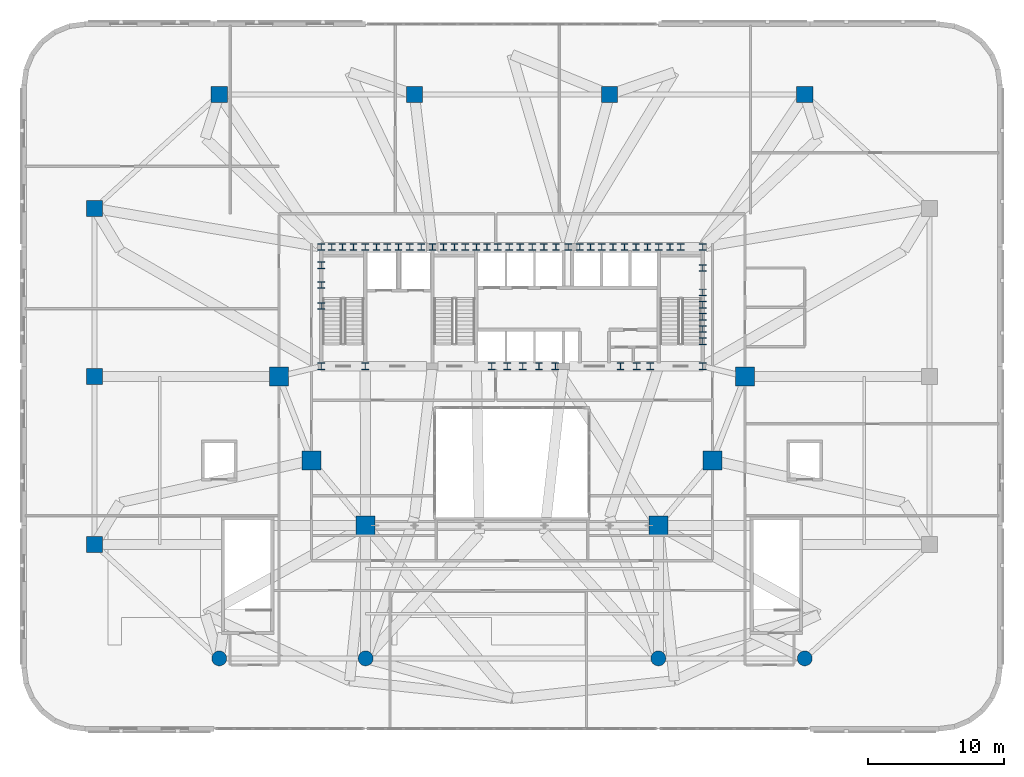
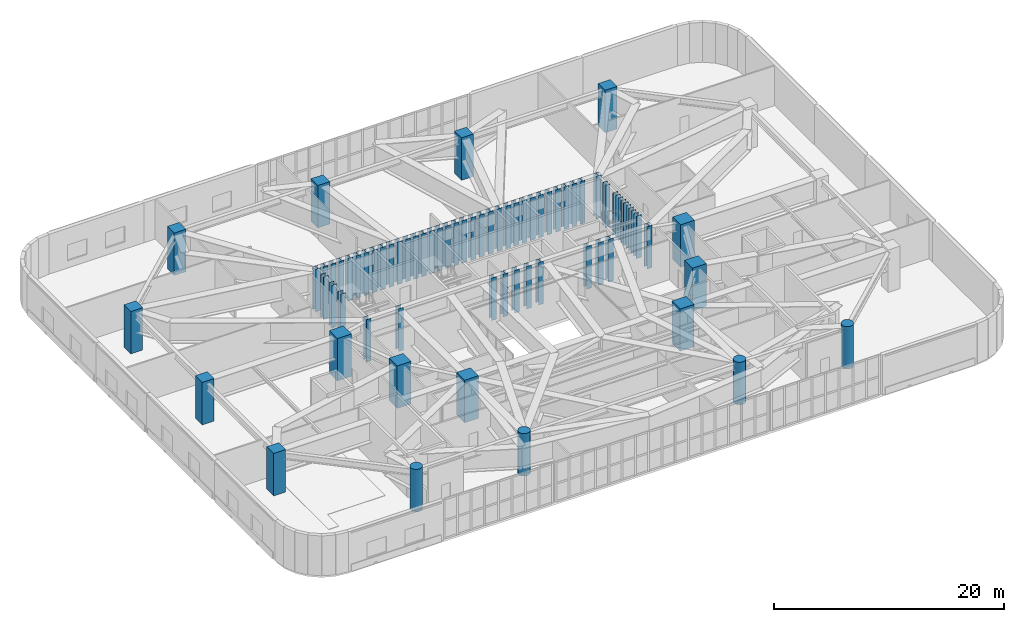
# One storey, part 1 of 26: 71 columns.
"""IFC4 building model written with IfcOpenShell, lengths in metres."""

from ifc_helpers import new_model, si_unit, direction, frame, origin, origin_2d, place, context, subcontext, project, spatial, rectangle, circle, i_section, extrude, material, material_profile, profile_set, type_object, element, save


model = new_model("IFC4")

# Units and contexts
model_context = context("Model", 3, precision=1e-05, world=origin(), true_north=direction((0.0, 1.0)))
body_context = subcontext(model_context, "Body", "Model", "MODEL_VIEW")
ifc_project = project(units=[si_unit("LENGTHUNIT", "METRE"), si_unit("AREAUNIT", "SQUARE_METRE"), si_unit("VOLUMEUNIT", "CUBIC_METRE"), si_unit("PLANEANGLEUNIT", "RADIAN"), si_unit("MASSUNIT", "GRAM", prefix="KILO")], contexts=[model_context])

# Site, building, storey
site_placement = place(None, origin())
site = spatial("IfcSite", under=ifc_project, at=site_placement, CompositionType="ELEMENT")
building_placement = place(site_placement, origin())
building = spatial("IfcBuilding", under=site, at=building_placement, Name="Haldorwick Loom Tower", CompositionType="ELEMENT")
storey_placement = place(building_placement, frame((0.0, 0.0, 19.5)))
storey = spatial("IfcBuildingStorey", under=building, at=storey_placement, Name="L04", CompositionType="ELEMENT", Elevation=19.5)

# Columns
ifc_material_1 = material(Name="Concrete C60 (60 MPa)", Category="concrete")
ifc_material_profile_1 = material_profile(ifc_material_1, rectangle(XDim=1.39990234375, YDim=1.39990234375, at=origin_2d()), Name="RC1400X1400", Category="concrete")
ifc_profile_set_1 = profile_set([ifc_material_profile_1], Name="Concrete C60 (60 MPa)")
column_type_1 = type_object("IfcColumnType", Name="STR-COL-MEGA1400", PredefinedType="COLUMN", material=ifc_profile_set_1)
for number, where, z_axis, x_axis, name in (
    (1, (53.199951171875, 26.0, 0.0), (0.0, 0.0, 1.0), (1.0, 0.0, 0.0), "L04 Inner Column IC-01"),
    (2, (50.800048828125, 19.800048828125, 0.0), (0.0, 0.0, 1.0), (1.0, 0.0, 0.0), "L04 Inner Column IC-02"),
    (3, (21.199951171875, 19.800048828125, 0.0), (0.0, 0.0, 1.0), (1.0, 0.0, 0.0), "L04 Inner Column IC-07"),
    (4, (18.800048828125, 26.0, 0.0), (0.0, 0.0, 1.0), (1.0, 0.0, 0.0), "L04 Inner Column IC-08"),
    (5, (25.199951171875, 15.0, 0.0), (0.0, 0.0, 1.0), (1.0, 0.0, 0.0), "L04 Podium Column PC-TW"),
    (6, (46.800048828125, 15.0, 0.0), (0.0, 0.0, 1.0), (1.0, 0.0, 0.0), "L04 Podium Column PC-TE"),
):
    element("IfcColumn", number, at=place(storey_placement, frame(where, z_axis=z_axis, x_axis=x_axis)), inside=storey, type_object=column_type_1, Name=name, PredefinedType="COLUMN", context=body_context, shape_type="SweptSolid", body=[
        extrude(rectangle(XDim=1.39990234375, YDim=1.39990234375, at=origin_2d()), origin(), (0.0, 0.0, 1.0), 4.5),
    ])
ifc_material_profile_2 = material_profile(ifc_material_1, rectangle(XDim=1.199951171875, YDim=1.199951171875, at=origin_2d()), Name="RC1200X1200", Category="concrete")
ifc_profile_set_2 = profile_set([ifc_material_profile_2], Name="Concrete C60 (60 MPa)")
column_type_2 = type_object("IfcColumnType", Name="STR-COL-RC1200", PredefinedType="COLUMN", material=ifc_profile_set_2)
for number, where, z_axis, x_axis, name in (
    (7, (14.39990234375, 46.800048828125, 0.0), (0.0, 0.0, 1.0), (1.0, 0.0, 0.0), "L04 Podium Column PC-N1"),
    (8, (28.800048828125, 46.800048828125, 0.0), (0.0, 0.0, 1.0), (1.0, 0.0, 0.0), "L04 Podium Column PC-N2"),
    (9, (43.199951171875, 46.800048828125, 0.0), (0.0, 0.0, 1.0), (1.0, 0.0, 0.0), "L04 Podium Column PC-N3"),
    (10, (57.60009765625, 46.800048828125, 0.0), (0.0, 0.0, 1.0), (1.0, 0.0, 0.0), "L04 Podium Column PC-N4"),
    (11, (5.199951171875, 13.60009765625, 0.0), (0.0, 0.0, 1.0), (1.0, 0.0, 0.0), "L04 Podium Column PC-W1"),
    (12, (5.199951171875, 26.0, 0.0), (0.0, 0.0, 1.0), (1.0, 0.0, 0.0), "L04 Podium Column PC-W2"),
    (13, (5.199951171875, 38.39990234375, 0.0), (0.0, 0.0, 1.0), (1.0, 0.0, 0.0), "L04 Podium Column PC-W3"),
):
    element("IfcColumn", number, at=place(storey_placement, frame(where, z_axis=z_axis, x_axis=x_axis)), inside=storey, type_object=column_type_2, Name=name, PredefinedType="COLUMN", context=body_context, shape_type="SweptSolid", body=[
        extrude(rectangle(XDim=1.199951171875, YDim=1.199951171875, at=origin_2d()), origin(), (0.0, 0.0, 1.0), 4.5),
    ])
ifc_material_profile_3 = material_profile(ifc_material_1, circle(Radius=0.550048828125, at=origin_2d()), Name="RCD1100", Category="concrete")
ifc_profile_set_3 = profile_set([ifc_material_profile_3], Name="Concrete C60 (60 MPa)")
column_type_3 = type_object("IfcColumnType", Name="STR-COL-RCD1100", PredefinedType="COLUMN", material=ifc_profile_set_3)
for number, where, z_axis, x_axis, name in (
    (14, (14.39990234375, 5.199951171875, 0.0), (0.0, 0.0, 1.0), (1.0, 0.0, 0.0), "L04 Podium Column PC-S1"),
    (15, (25.199951171875, 5.199951171875, 0.0), (0.0, 0.0, 1.0), (1.0, 0.0, 0.0), "L04 Podium Column PC-S2"),
    (16, (46.800048828125, 5.199951171875, 0.0), (0.0, 0.0, 1.0), (1.0, 0.0, 0.0), "L04 Podium Column PC-S3"),
    (17, (57.60009765625, 5.199951171875, 0.0), (0.0, 0.0, 1.0), (1.0, 0.0, 0.0), "L04 Podium Column PC-S4"),
):
    element("IfcColumn", number, at=place(storey_placement, frame(where, z_axis=z_axis, x_axis=x_axis)), inside=storey, type_object=column_type_3, Name=name, PredefinedType="COLUMN", context=body_context, shape_type="SweptSolid", body=[
        extrude(circle(Radius=0.550048828125, at=origin_2d()), origin(), (0.0, 0.0, 1.0), 4.5),
    ])
ifc_material_2 = material(Name="Steel CSA G40.21 350WT", Category="steel")
ifc_material_profile_4 = material_profile(ifc_material_2, i_section(OverallWidth=0.5, OverallDepth=0.5, WebThickness=0.02197265625, FlangeThickness=0.031982421875, at=origin_2d()), Name="WWF500X500", Category="steel")
ifc_profile_set_4 = profile_set([ifc_material_profile_4], Name="Steel CSA G40.21 350WT")
column_type_4 = type_object("IfcColumnType", Name="STR-COL-WWF500", PredefinedType="COLUMN", material=ifc_profile_set_4)
for number, where, z_axis, x_axis, name in (
    (18, (21.929931640625, 35.550048828125, 0.0), (0.0, 0.0, 1.0), (1.0, 0.0, 0.0), "L04 Core Pilaster CB-01"),
    (19, (23.5, 35.550048828125, 0.0), (0.0, 0.0, 1.0), (1.0, 0.0, 0.0), "L04 Core Pilaster CB-02"),
    (20, (25.169921875, 35.550048828125, 0.0), (0.0, 0.0, 1.0), (1.0, 0.0, 0.0), "L04 Core Pilaster CB-03"),
    (21, (26.800048828125, 35.550048828125, 0.0), (0.0, 0.0, 1.0), (1.0, 0.0, 0.0), "L04 Core Pilaster CB-04"),
    (22, (28.449951171875, 35.550048828125, 0.0), (0.0, 0.0, 1.0), (1.0, 0.0, 0.0), "L04 Core Pilaster CB-05"),
    (23, (30.1298828125, 35.550048828125, 0.0), (0.0, 0.0, 1.0), (1.0, 0.0, 0.0), "L04 Core Pilaster CB-06"),
    (24, (31.75, 35.550048828125, 0.0), (0.0, 0.0, 1.0), (1.0, 0.0, 0.0), "L04 Core Pilaster CB-07"),
    (25, (33.3701171875, 35.550048828125, 0.0), (0.0, 0.0, 1.0), (1.0, 0.0, 0.0), "L04 Core Pilaster CB-08"),
    (26, (34.949951171875, 35.550048828125, 0.0), (0.0, 0.0, 1.0), (1.0, 0.0, 0.0), "L04 Core Pilaster CB-09"),
    (27, (36.60009765625, 35.550048828125, 0.0), (0.0, 0.0, 1.0), (1.0, 0.0, 0.0), "L04 Core Pilaster CB-10"),
    (28, (38.35009765625, 35.550048828125, 0.0), (0.0, 0.0, 1.0), (1.0, 0.0, 0.0), "L04 Core Pilaster CB-11"),
    (29, (40.14990234375, 35.550048828125, 0.0), (0.0, 0.0, 1.0), (1.0, 0.0, 0.0), "L04 Core Pilaster CB-12"),
    (30, (41.800048828125, 35.550048828125, 0.0), (0.0, 0.0, 1.0), (1.0, 0.0, 0.0), "L04 Core Pilaster CB-13"),
    (31, (43.449951171875, 35.550048828125, 0.0), (0.0, 0.0, 1.0), (1.0, 0.0, 0.0), "L04 Core Pilaster CB-14"),
    (32, (45.14990234375, 35.550048828125, 0.0), (0.0, 0.0, 1.0), (1.0, 0.0, 0.0), "L04 Core Pilaster CB-15"),
    (33, (46.830078125, 35.550048828125, 0.0), (0.0, 0.0, 1.0), (1.0, 0.0, 0.0), "L04 Core Pilaster CB-16"),
    (34, (48.449951171875, 35.550048828125, 0.0), (0.0, 0.0, 1.0), (1.0, 0.0, 0.0), "L04 Core Pilaster CB-17"),
    (35, (50.070068359375, 35.550048828125, 0.0), (0.0, 0.0, 1.0), (1.0, 0.0, 0.0), "L04 Core Pilaster CB-18"),
    (36, (21.929931640625, 26.75, 0.0), (0.0, 0.0, 1.0), (1.0, 0.0, 0.0), "L04 Core Pilaster CB-19"),
    (37, (25.169921875, 26.75, 0.0), (0.0, 0.0, 1.0), (1.0, 0.0, 0.0), "L04 Core Pilaster CB-20"),
    (38, (34.5, 26.75, 0.0), (0.0, 0.0, 1.0), (1.0, 0.0, 0.0), "L04 Core Pilaster CB-21"),
    (39, (36.800048828125, 26.75, 0.0), (0.0, 0.0, 1.0), (1.0, 0.0, 0.0), "L04 Core Pilaster CB-22"),
    (40, (39.199951171875, 26.75, 0.0), (0.0, 0.0, 1.0), (1.0, 0.0, 0.0), "L04 Core Pilaster CB-23"),
    (41, (45.199951171875, 26.75, 0.0), (0.0, 0.0, 1.0), (1.0, 0.0, 0.0), "L04 Core Pilaster CB-24"),
    (42, (50.070068359375, 26.75, 0.0), (0.0, 0.0, 1.0), (1.0, 0.0, 0.0), "L04 Core Pilaster CB-25"),
    (43, (21.929931640625, 31.199951171875, 0.0), (0.0, 0.0, 1.0), (1.0, 0.0, 0.0), "L04 Core Pilaster CB-26"),
    (44, (21.929931640625, 32.75, 0.0), (0.0, 0.0, 1.0), (1.0, 0.0, 0.0), "L04 Core Pilaster CB-27"),
    (45, (21.929931640625, 34.199951171875, 0.0), (0.0, 0.0, 1.0), (1.0, 0.0, 0.0), "L04 Core Pilaster CB-28"),
    (46, (50.070068359375, 28.60009765625, 0.0), (0.0, 0.0, 1.0), (1.0, 0.0, 0.0), "L04 Core Pilaster CB-29"),
    (47, (50.070068359375, 30.39990234375, 0.0), (0.0, 0.0, 1.0), (1.0, 0.0, 0.0), "L04 Core Pilaster CB-30"),
    (48, (50.070068359375, 32.199951171875, 0.0), (0.0, 0.0, 1.0), (1.0, 0.0, 0.0), "L04 Core Pilaster CB-31"),
    (49, (50.070068359375, 34.0, 0.0), (0.0, 0.0, 1.0), (1.0, 0.0, 0.0), "L04 Core Pilaster CB-32"),
    (50, (22.699951171875, 35.550048828125, 0.0), (0.0, 0.0, 1.0), (1.0, 0.0, 0.0), "L04 Core Pilaster CB-33"),
    (51, (27.6201171875, 35.550048828125, 0.0), (0.0, 0.0, 1.0), (1.0, 0.0, 0.0), "L04 Core Pilaster CB-34"),
    (52, (32.550048828125, 35.550048828125, 0.0), (0.0, 0.0, 1.0), (1.0, 0.0, 0.0), "L04 Core Pilaster CB-35"),
    (53, (37.5, 35.550048828125, 0.0), (0.0, 0.0, 1.0), (1.0, 0.0, 0.0), "L04 Core Pilaster CB-36"),
    (54, (42.6201171875, 35.550048828125, 0.0), (0.0, 0.0, 1.0), (1.0, 0.0, 0.0), "L04 Core Pilaster CB-37"),
    (55, (47.64990234375, 35.550048828125, 0.0), (0.0, 0.0, 1.0), (1.0, 0.0, 0.0), "L04 Core Pilaster CB-38"),
    (56, (24.300048828125, 35.550048828125, 0.0), (0.0, 0.0, 1.0), (1.0, 0.0, 0.0), "L04 Core Pilaster CB-39"),
    (57, (26.0, 35.550048828125, 0.0), (0.0, 0.0, 1.0), (1.0, 0.0, 0.0), "L04 Core Pilaster CB-40"),
    (58, (29.300048828125, 35.550048828125, 0.0), (0.0, 0.0, 1.0), (1.0, 0.0, 0.0), "L04 Core Pilaster CB-41"),
    (59, (30.949951171875, 35.550048828125, 0.0), (0.0, 0.0, 1.0), (1.0, 0.0, 0.0), "L04 Core Pilaster CB-42"),
    (60, (34.14990234375, 35.550048828125, 0.0), (0.0, 0.0, 1.0), (1.0, 0.0, 0.0), "L04 Core Pilaster CB-43"),
    (61, (35.800048828125, 35.550048828125, 0.0), (0.0, 0.0, 1.0), (1.0, 0.0, 0.0), "L04 Core Pilaster CB-44"),
    (62, (39.25, 35.550048828125, 0.0), (0.0, 0.0, 1.0), (1.0, 0.0, 0.0), "L04 Core Pilaster CB-45"),
    (63, (41.0, 35.550048828125, 0.0), (0.0, 0.0, 1.0), (1.0, 0.0, 0.0), "L04 Core Pilaster CB-46"),
    (64, (44.300048828125, 35.550048828125, 0.0), (0.0, 0.0, 1.0), (1.0, 0.0, 0.0), "L04 Core Pilaster CB-47"),
    (65, (46.0, 35.550048828125, 0.0), (0.0, 0.0, 1.0), (1.0, 0.0, 0.0), "L04 Core Pilaster CB-48"),
    (66, (50.070068359375, 29.5, 0.0), (0.0, 0.0, 1.0), (1.0, 0.0, 0.0), "L04 Core Pilaster CB-49"),
    (67, (50.070068359375, 31.300048828125, 0.0), (0.0, 0.0, 1.0), (1.0, 0.0, 0.0), "L04 Core Pilaster CB-50"),
    (68, (35.64990234375, 26.75, 0.0), (0.0, 0.0, 1.0), (1.0, 0.0, 0.0), "L04 Core Pilaster CB-51"),
    (69, (38.0, 26.75, 0.0), (0.0, 0.0, 1.0), (1.0, 0.0, 0.0), "L04 Core Pilaster CB-52"),
    (70, (44.0, 26.75, 0.0), (0.0, 0.0, 1.0), (1.0, 0.0, 0.0), "L04 Core Pilaster CB-53"),
    (71, (46.199951171875, 26.75, 0.0), (0.0, 0.0, 1.0), (1.0, 0.0, 0.0), "L04 Core Pilaster CB-54"),
):
    element("IfcColumn", number, at=place(storey_placement, frame(where, z_axis=z_axis, x_axis=x_axis)), inside=storey, type_object=column_type_4, Name=name, PredefinedType="COLUMN", context=body_context, shape_type="SweptSolid", body=[
        extrude(i_section(OverallWidth=0.5, OverallDepth=0.5, WebThickness=0.02197265625, FlangeThickness=0.031982421875, at=origin_2d()), origin(), (0.0, 0.0, 1.0), 4.5),
    ])

save(model, "model.ifc")
